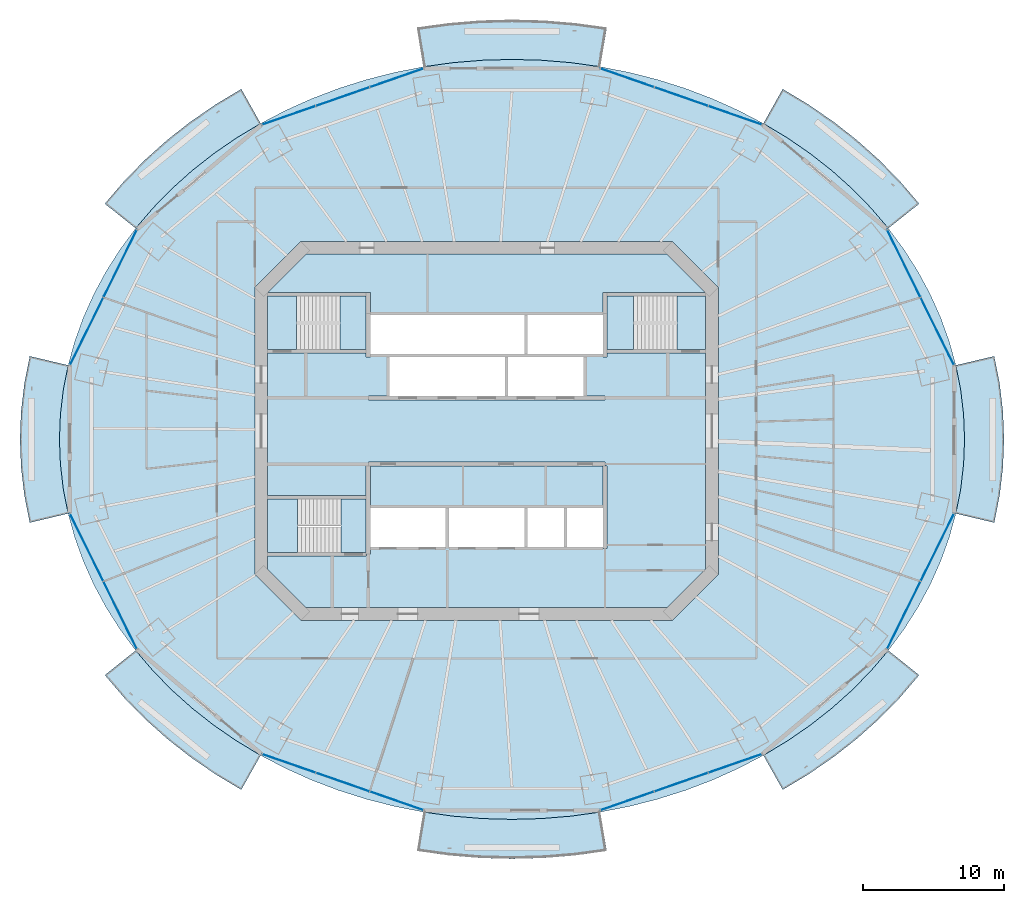
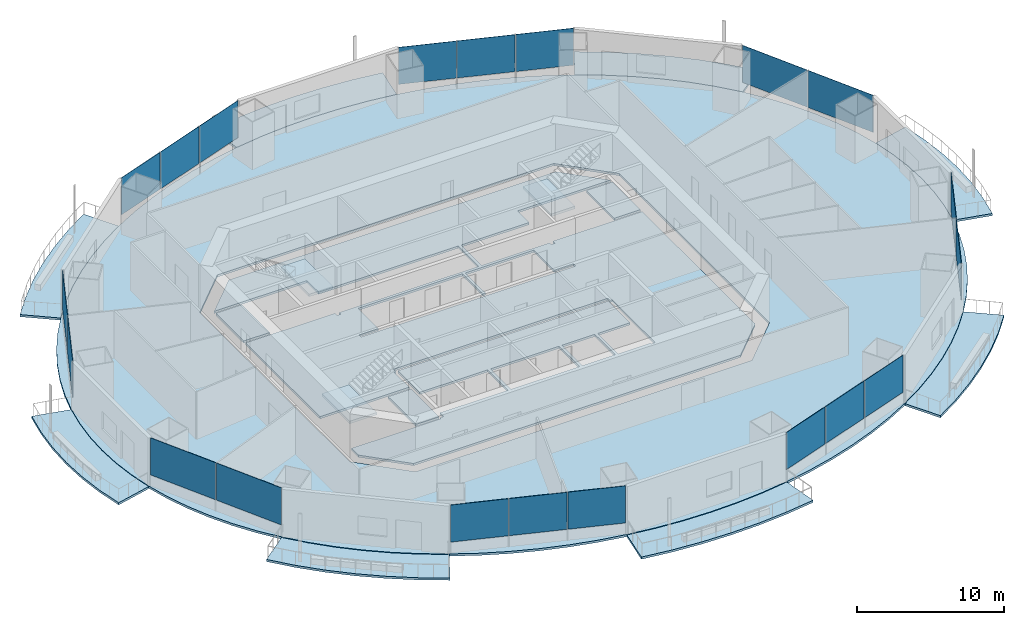
# One storey, part 10 of 20: 20 plates, 16 slabs, 11 elements without a shape of their own.
"""IFC4 building model written with IfcOpenShell, lengths in metres."""

import ifcopenshell
import ifcopenshell.guid

model = None  # the IFC model being written
_history = None  # IfcOwnerHistory: only IFC2X3 demands one
_inside = {}  # id of a spatial element -> (the spatial element, [elements in it])
_under = {}  # id of a project, library or spatial element -> (it, [spatial elements below it])
_declared = {}  # id of a project -> (the project, [libraries it declares])
_typed = {}  # id of a type object -> (the type object, [elements of that type])
_made_of = {}  # id of a material, layer set ... -> (it, [elements and type objects made of it])


def new_model(schema):
    """Start an empty IFC model of exactly this schema.

    Asked for "IFC4X3", IfcOpenShell would pick the latest addendum, in which some entities
    have other attributes; the version numbers below select the first issue.
    IFC2X3 requires an IfcOwnerHistory on every rooted entity: one is made here for all.
    """
    global model, _history
    if schema == "IFC4X3":
        model = ifcopenshell.file(schema_version=(4, 3, 0, 0))
    else:
        model = ifcopenshell.file(schema=schema)
    _inside.clear()
    _under.clear()
    _declared.clear()
    _typed.clear()
    _made_of.clear()
    _history = None
    if model.schema == "IFC2X3":
        org = make("IfcOrganization", Name="unknown")
        user = make(
            "IfcPersonAndOrganization",
            ThePerson=make("IfcPerson", FamilyName="unknown"),
            TheOrganization=org,
        )
        app = make(
            "IfcApplication",
            ApplicationDeveloper=org,
            Version="unknown",
            ApplicationFullName="unknown",
            ApplicationIdentifier="unknown",
        )
        _history = make(
            "IfcOwnerHistory",
            OwningUser=user,
            OwningApplication=app,
            ChangeAction="ADDED",
            CreationDate=0,
        )
    return model


def make(cls, **values):
    """One entity of the class cls with the attributes given. An attribute that is None is left unset."""
    return model.create_entity(
        cls, **{name: value for name, value in values.items() if value is not None}
    )


def rooted(cls, **values):
    """An entity with a GlobalId (a new one), such as an element, a storey or a relation."""
    return make(cls, GlobalId=ifcopenshell.guid.new(), OwnerHistory=_history, **values)


def si_unit(unit_type, name, prefix=None):
    """IfcSIUnit, for example si_unit("LENGTHUNIT", "METRE", prefix="MILLI")."""
    return make("IfcSIUnit", UnitType=unit_type, Prefix=prefix, Name=name)


def assignment(units):
    """IfcUnitAssignment: the units of a project."""
    return None if units is None else make("IfcUnitAssignment", Units=units)


def point(xyz):
    """IfcCartesianPoint."""
    return None if xyz is None else make("IfcCartesianPoint", Coordinates=xyz)


def direction(xyz):
    """IfcDirection."""
    return None if xyz is None else make("IfcDirection", DirectionRatios=xyz)


def frame(location, z_axis=None, x_axis=None):
    """IfcAxis2Placement3D, a coordinate frame: its origin and axes. An axis left out is left unset."""
    return make(
        "IfcAxis2Placement3D",
        Location=point(location),
        Axis=direction(z_axis),
        RefDirection=direction(x_axis),
    )


def frame_2d(location, x_axis=None):
    """IfcAxis2Placement2D, a coordinate frame in the plane: its origin and x axis."""
    return make(
        "IfcAxis2Placement2D", Location=point(location), RefDirection=direction(x_axis)
    )


def origin():
    """The frame at (0, 0, 0) with its axes left unset."""
    return frame((0.0, 0.0, 0.0))


def origin_2d():
    """The frame at (0, 0) in the plane with its x axis left unset."""
    return frame_2d((0.0, 0.0))


def place(relative_to, where):
    """IfcLocalPlacement: puts the frame where relative to a parent placement (None: the world)."""
    return make(
        "IfcLocalPlacement", PlacementRelTo=relative_to, RelativePlacement=where
    )


def context(
    kind, dimensions, precision=None, world=None, true_north=None, identifier=None
):
    """IfcGeometricRepresentationContext, for example the 3D "Model" context."""
    return make(
        "IfcGeometricRepresentationContext",
        ContextIdentifier=identifier,
        ContextType=kind,
        CoordinateSpaceDimension=dimensions,
        Precision=precision,
        WorldCoordinateSystem=world,
        TrueNorth=true_north,
    )


def subcontext(parent, identifier, kind, view, scale=None):
    """IfcGeometricRepresentationSubContext, for example "Body" below "Model"."""
    return make(
        "IfcGeometricRepresentationSubContext",
        ContextIdentifier=identifier,
        ContextType=kind,
        ParentContext=parent,
        TargetScale=scale,
        TargetView=view,
    )


def project(units=None, contexts=None):
    """IfcProject with its units and contexts."""
    return rooted(
        "IfcProject",
        Name="project",
        RepresentationContexts=contexts,
        UnitsInContext=assignment(units),
    )


def spatial(cls, under=None, at=None, **own):
    """A site, building, storey or space (cls), placed at a placement, below another one or the project."""
    s = rooted(cls, ObjectPlacement=at, **own)
    if under is not None:
        _under.setdefault(under.id(), (under, []))[1].append(s)
    return s


def polyline(points):
    """IfcPolyline through the points."""
    return make("IfcPolyline", Points=[point(p) for p in points])


def profile(cls, at=None, kind="AREA", **sizes):
    """A parametric profile (cls). Its sizes go by their IFC names, for example OverallWidth=200.0."""
    return make(cls, ProfileType=kind, Position=at, **sizes)


def rectangle(**sizes):
    """IfcRectangleProfileDef."""
    return profile("IfcRectangleProfileDef", **sizes)


def outline(outer, holes=None, kind="AREA"):
    """IfcArbitraryClosedProfileDef: a profile drawn as a closed curve; with holes, ...WithVoids."""
    if holes is None:
        return make("IfcArbitraryClosedProfileDef", ProfileType=kind, OuterCurve=outer)
    return make(
        "IfcArbitraryProfileDefWithVoids",
        ProfileType=kind,
        OuterCurve=outer,
        InnerCurves=holes,
    )


def extrude(swept, where, along, depth):
    """IfcExtrudedAreaSolid: the profile swept, set in the frame where, extruded along a direction by depth."""
    return make(
        "IfcExtrudedAreaSolid",
        SweptArea=swept,
        Position=where,
        ExtrudedDirection=direction(along),
        Depth=depth,
    )


def shape(context_of_items, identifier, shape_type, items):
    """IfcShapeRepresentation: the items that make up one representation, for example the "Body"."""
    return make(
        "IfcShapeRepresentation",
        ContextOfItems=context_of_items,
        RepresentationIdentifier=identifier,
        RepresentationType=shape_type,
        Items=items,
    )


def material(Name=None, Category=None):
    """IfcMaterial."""
    return make("IfcMaterial", Name=Name, Category=Category)


def layer(
    of_material, thickness, ventilated=None, Name=None, Category=None, Priority=None
):
    """IfcMaterialLayer: one layer of a wall or slab, of a material (None: an air gap)."""
    return make(
        "IfcMaterialLayer",
        Material=of_material,
        LayerThickness=thickness,
        IsVentilated=ventilated,
        Name=Name,
        Category=Category,
        Priority=Priority,
    )


def layer_set(layers, Name=None):
    """IfcMaterialLayerSet."""
    return make("IfcMaterialLayerSet", MaterialLayers=layers, LayerSetName=Name)


def made_of(thing, what):
    """Note that an element or type object is made of a material, layer set ...; save() writes the relation."""
    if what is not None:
        _made_of.setdefault(what.id(), (what, []))[1].append(thing)
    return thing


def type_object(cls, material=None, **own):
    """A type object (cls), such as IfcWallType, which elements share."""
    return made_of(rooted(cls, **own), material)


def element(
    cls,
    number,
    at=None,
    inside=None,
    cuts=None,
    type_object=None,
    material=None,
    context=None,
    identifier="Body",
    shape_type=None,
    held_by="IfcProductDefinitionShape",
    body=None,
    shapes=None,
    **own,
):
    """One element of the class cls, such as IfcWall. Its Tag is "e" and its number.

    at: its placement. inside: the storey or other place that contains it. cuts: it is an
    opening in that element (IfcRelVoidsElement). A single representation is given by context,
    identifier, shape_type and body (its items); several are given by shapes. held_by: the class
    of the entity that holds the representations. save() writes the other relations.
    """
    e = rooted(cls, Tag="e%d" % number, ObjectPlacement=at, **own)
    if body is not None:
        shapes = [shape(context, identifier, shape_type, body)]
    if shapes is not None:
        e.Representation = make(held_by, Representations=shapes)
    if inside is not None:
        _inside.setdefault(inside.id(), (inside, []))[1].append(e)
    if cuts is not None:
        rooted(
            "IfcRelVoidsElement", RelatingBuildingElement=cuts, RelatedOpeningElement=e
        )
    if type_object is not None:
        _typed.setdefault(type_object.id(), (type_object, []))[1].append(e)
    return made_of(e, material)


def aggregate(whole, parts):
    """IfcRelAggregates: a whole, such as a stair, and the parts it consists of."""
    return rooted("IfcRelAggregates", RelatingObject=whole, RelatedObjects=parts)


def save(model, path):
    """Write the relations noted so far, then the file.

    IfcRelAggregates (storeys below a building ...), IfcRelContainedInSpatialStructure (elements
    in a storey), IfcRelDefinesByType, IfcRelAssociatesMaterial and IfcRelDeclares: one each for
    every whole, place, type object, material and project.
    """
    for whole, parts in _under.values():
        aggregate(whole, parts)
    for where, things in _inside.values():
        rooted(
            "IfcRelContainedInSpatialStructure",
            RelatedElements=things,
            RelatingStructure=where,
        )
    for kind, things in _typed.values():
        rooted("IfcRelDefinesByType", RelatedObjects=things, RelatingType=kind)
    for what, things in _made_of.values():
        rooted("IfcRelAssociatesMaterial", RelatedObjects=things, RelatingMaterial=what)
    for by, libraries in _declared.values():
        rooted("IfcRelDeclares", RelatingContext=by, RelatedDefinitions=libraries)
    model.write(path)


model = new_model("IFC4")

# Units and contexts
model_context = context("Model", 3, precision=1e-05, world=origin(), true_north=direction((0.0, 1.0)))
body_context = subcontext(model_context, "Body", "Model", "MODEL_VIEW")
ifc_project = project(units=[si_unit("LENGTHUNIT", "METRE"), si_unit("AREAUNIT", "SQUARE_METRE"), si_unit("VOLUMEUNIT", "CUBIC_METRE"), si_unit("PLANEANGLEUNIT", "RADIAN"), si_unit("MASSUNIT", "GRAM", prefix="KILO")], contexts=[model_context])

# Site, building, storey
site_placement = place(None, origin())
site = spatial("IfcSite", under=ifc_project, at=site_placement, CompositionType="ELEMENT")
building_placement = place(site_placement, origin())
building = spatial("IfcBuilding", under=site, at=building_placement, Name="Marenthal Gate Tower", CompositionType="ELEMENT")
storey_placement = place(building_placement, frame((0.0, 0.0, 185.949951171875)))
storey = spatial("IfcBuildingStorey", under=building, at=storey_placement, Name="L40", CompositionType="ELEMENT", Elevation=185.949951171875)

# Slabs
ifc_material_1 = material(Name="Concrete 40 MPa", Category="concrete")
ifc_layer_1 = layer(ifc_material_1, 0.179931640625)
ifc_layer_set_1 = layer_set([ifc_layer_1], Name="Balcony deck 180")
slab_type_1 = type_object("IfcSlabType", Name="Balcony deck 180", PredefinedType="USERDEFINED", material=ifc_layer_set_1)
slab_1_placement = place(storey_placement, frame((0.0, 0.0, -0.219970703125)))
element("IfcSlab", 1, at=slab_1_placement, inside=storey, type_object=slab_type_1, Name="Balcony deck L40 bay 2", ObjectType="BALCONY", PredefinedType="USERDEFINED", context=body_context, shape_type="SweptSolid", body=[
    extrude(outline(polyline([(28.519287109375, 14.389892578125), (27.29443359375, 15.824951171875), (25.96044921875, 17.189697265625), (24.52294921875, 18.478515625), (22.988037109375, 19.685302734375), (21.362548828125, 20.805419921875), (19.6533203125, 21.833984375), (21.023193359375, 24.27587890625), (22.87890625, 23.1591796875), (24.648193359375, 21.940185546875), (26.3232421875, 20.622802734375), (27.896728515625, 19.21240234375), (29.361328125, 17.7138671875), (30.710205078125, 16.13330078125), (28.519287109375, 14.389892578125)])), origin(), (0.0, 0.0, 1.0), 0.179931640625),
])
slab_2_placement = place(storey_placement, frame((0.0, 0.0, -0.219970703125)))
element("IfcSlab", 2, at=slab_2_placement, inside=storey, type_object=slab_type_1, Name="Balcony deck L40 bay 4", ObjectType="BALCONY", PredefinedType="USERDEFINED", context=body_context, shape_type="SweptSolid", body=[
    extrude(outline(polyline([(8.069091796875, 25.862548828125), (5.994384765625, 26.150146484375), (3.901611328125, 26.3232421875), (1.800048828125, 26.381103515625), (-0.3017578125, 26.3232421875), (-2.39453125, 26.150146484375), (-4.46923828125, 25.862548828125), (-4.930419921875, 28.624267578125), (-2.7021484375, 28.933349609375), (-0.45556640625, 29.118896484375), (1.800048828125, 29.180908203125), (4.0556640625, 29.118896484375), (6.30224609375, 28.933349609375), (8.530517578125, 28.624267578125), (8.069091796875, 25.862548828125)])), origin(), (0.0, 0.0, 1.0), 0.179931640625),
])
slab_3_placement = place(storey_placement, frame((0.0, 0.0, -0.219970703125)))
element("IfcSlab", 3, at=slab_3_placement, inside=storey, type_object=slab_type_1, Name="Balcony deck L40 bay 6", ObjectType="BALCONY", PredefinedType="USERDEFINED", context=body_context, shape_type="SweptSolid", body=[
    extrude(outline(polyline([(-16.05322265625, 21.833984375), (-17.762451171875, 20.805419921875), (-19.38818359375, 19.685302734375), (-20.9228515625, 18.478515625), (-22.3603515625, 17.189697265625), (-23.6943359375, 15.824951171875), (-24.919189453125, 14.389892578125), (-27.110107421875, 16.13330078125), (-25.76123046875, 17.7138671875), (-24.296630859375, 19.21240234375), (-22.723388671875, 20.622802734375), (-21.04833984375, 21.940185546875), (-19.279052734375, 23.1591796875), (-17.423095703125, 24.27587890625), (-16.05322265625, 21.833984375)])), origin(), (0.0, 0.0, 1.0), 0.179931640625),
])
slab_4_placement = place(storey_placement, frame((0.0, 0.0, -0.219970703125)))
element("IfcSlab", 4, at=slab_4_placement, inside=storey, type_object=slab_type_1, Name="Balcony deck L40 bay 8", ObjectType="BALCONY", PredefinedType="USERDEFINED", context=body_context, shape_type="SweptSolid", body=[
    extrude(outline(polyline([(-29.717529296875, 4.663818359375), (-30.06005859375, 2.921630859375), (-30.26611328125, 1.16455078125), (-30.3349609375, -0.60009765625), (-30.26611328125, -2.364501953125), (-30.06005859375, -4.12158203125), (-29.717529296875, -5.86376953125), (-32.442138671875, -6.50927734375), (-32.826416015625, -4.555419921875), (-33.0576171875, -2.58251953125), (-33.135009765625, -0.60009765625), (-33.0576171875, 1.382568359375), (-32.826416015625, 3.35546875), (-32.442138671875, 5.30908203125), (-29.717529296875, 4.663818359375)])), origin(), (0.0, 0.0, 1.0), 0.179931640625),
])
slab_5_placement = place(storey_placement, frame((0.0, 0.0, -0.219970703125)))
element("IfcSlab", 5, at=slab_5_placement, inside=storey, type_object=slab_type_1, Name="Balcony deck L40 bay 10", ObjectType="BALCONY", PredefinedType="USERDEFINED", context=body_context, shape_type="SweptSolid", body=[
    extrude(outline(polyline([(-24.919189453125, -15.58984375), (-23.6943359375, -17.02490234375), (-22.3603515625, -18.389892578125), (-20.9228515625, -19.678466796875), (-19.38818359375, -20.885498046875), (-17.762451171875, -22.005615234375), (-16.05322265625, -23.033935546875), (-17.423095703125, -25.475830078125), (-19.279052734375, -24.359375), (-21.04833984375, -23.14013671875), (-22.723388671875, -21.82275390625), (-24.296630859375, -20.412353515625), (-25.76123046875, -18.913818359375), (-27.110107421875, -17.333251953125), (-24.919189453125, -15.58984375)])), origin(), (0.0, 0.0, 1.0), 0.179931640625),
])
slab_6_placement = place(storey_placement, frame((0.0, 0.0, -0.219970703125)))
element("IfcSlab", 6, at=slab_6_placement, inside=storey, type_object=slab_type_1, Name="Balcony deck L40 bay 12", ObjectType="BALCONY", PredefinedType="USERDEFINED", context=body_context, shape_type="SweptSolid", body=[
    extrude(outline(polyline([(-4.46923828125, -27.0625), (-2.39453125, -27.35009765625), (-0.3017578125, -27.523193359375), (1.800048828125, -27.5810546875), (3.901611328125, -27.523193359375), (5.994384765625, -27.35009765625), (8.069091796875, -27.0625), (8.530517578125, -29.824462890625), (6.30224609375, -30.13330078125), (4.0556640625, -30.319091796875), (1.800048828125, -30.381103515625), (-0.45556640625, -30.319091796875), (-2.7021484375, -30.13330078125), (-4.930419921875, -29.824462890625), (-4.46923828125, -27.0625)])), origin(), (0.0, 0.0, 1.0), 0.179931640625),
])
slab_7_placement = place(storey_placement, frame((0.0, 0.0, -0.219970703125)))
element("IfcSlab", 7, at=slab_7_placement, inside=storey, type_object=slab_type_1, Name="Balcony deck L40 bay 14", ObjectType="BALCONY", PredefinedType="USERDEFINED", context=body_context, shape_type="SweptSolid", body=[
    extrude(outline(polyline([(19.6533203125, -23.033935546875), (21.362548828125, -22.005615234375), (22.988037109375, -20.885498046875), (24.52294921875, -19.678466796875), (25.96044921875, -18.389892578125), (27.29443359375, -17.02490234375), (28.519287109375, -15.58984375), (30.710205078125, -17.333251953125), (29.361328125, -18.913818359375), (27.896728515625, -20.412353515625), (26.3232421875, -21.82275390625), (24.648193359375, -23.14013671875), (22.87890625, -24.359375), (21.023193359375, -25.475830078125), (19.6533203125, -23.033935546875)])), origin(), (0.0, 0.0, 1.0), 0.179931640625),
])
slab_8_placement = place(storey_placement, frame((0.0, 0.0, -0.219970703125)))
element("IfcSlab", 8, at=slab_8_placement, inside=storey, type_object=slab_type_1, Name="Balcony deck L40 bay 16", ObjectType="BALCONY", PredefinedType="USERDEFINED", context=body_context, shape_type="SweptSolid", body=[
    extrude(outline(polyline([(33.3173828125, -5.86376953125), (33.66015625, -4.12158203125), (33.8662109375, -2.364501953125), (33.93505859375, -0.60009765625), (33.8662109375, 1.16455078125), (33.66015625, 2.921630859375), (33.3173828125, 4.663818359375), (36.0419921875, 5.30908203125), (36.42626953125, 3.35546875), (36.65771484375, 1.382568359375), (36.735107421875, -0.60009765625), (36.65771484375, -2.58251953125), (36.42626953125, -4.555419921875), (36.0419921875, -6.50927734375), (33.3173828125, -5.86376953125)])), origin(), (0.0, 0.0, 1.0), 0.179931640625),
])
ifc_material_2 = material(Name="Concrete 50 MPa", Category="concrete")
ifc_layer_2 = layer(ifc_material_2, 0.179931640625)
ifc_layer_set_2 = layer_set([ifc_layer_2], Name="Core floor slab 180")
slab_type_2 = type_object("IfcSlabType", Name="Core floor slab 180", PredefinedType="FLOOR", material=ifc_layer_set_2)
slab_9_placement = place(storey_placement, frame((0.0, 0.0, -0.179931640625)))
element("IfcSlab", 9, at=slab_9_placement, inside=storey, type_object=slab_type_2, Name="Core floor L40", PredefinedType="FLOOR", context=body_context, shape_type="SweptSolid", body=[
    extrude(outline(polyline([(12.813720703125, -12.550048828125), (-12.813720703125, -12.550048828125), (-15.550048828125, -9.813720703125), (-15.550048828125, -8.875), (-8.550048828125, -8.875), (-8.550048828125, -8.75), (-8.25, -8.75), (-8.25, -8.239990234375), (-5.60009765625, -8.239990234375), (-2.909912109375, -8.239990234375), (-2.909912109375, -5.4599609375), (-5.60009765625, -5.4599609375), (-8.25, -5.4599609375), (-8.25, -2.5), (8.25, -2.5), (8.25, -5.4599609375), (5.7099609375, -5.4599609375), (5.7099609375, -8.239990234375), (8.25, -8.239990234375), (8.25, -8.35009765625), (8.550048828125, -8.35009765625), (8.550048828125, -2.5), (8.39990234375, -2.5), (8.39990234375, -2.199951171875), (-8.39990234375, -2.199951171875), (-8.39990234375, -2.5), (-8.550048828125, -2.5), (-8.550048828125, -4.574951171875), (-15.550048828125, -4.574951171875), (-15.550048828125, 5.52490234375), (-8.550048828125, 5.52490234375), (-8.550048828125, 5.239990234375), (-8.25, 5.239990234375), (-8.25, 5.4599609375), (-5.60009765625, 5.4599609375), (-2.800048828125, 5.4599609375), (0.0, 5.4599609375), (2.68994140625, 5.4599609375), (2.68994140625, 8.239990234375), (0.0, 8.239990234375), (-2.800048828125, 8.239990234375), (-5.60009765625, 8.239990234375), (-8.25, 8.239990234375), (-8.25, 8.35009765625), (-8.25, 9.824951171875), (-8.550048828125, 9.824951171875), (-15.53857421875, 9.824951171875), (-12.813720703125, 12.550048828125), (12.813720703125, 12.550048828125), (15.53857421875, 9.824951171875), (8.550048828125, 9.824951171875), (8.25, 9.824951171875), (8.25, 8.35009765625), (8.25, 8.239990234375), (5.60009765625, 8.239990234375), (2.909912109375, 8.239990234375), (2.909912109375, 5.4599609375), (5.60009765625, 5.4599609375), (8.25, 5.4599609375), (8.25, 5.239990234375), (8.550048828125, 5.239990234375), (8.550048828125, 5.52490234375), (15.550048828125, 5.52490234375), (15.550048828125, -9.813720703125), (12.813720703125, -12.550048828125)]), holes=[polyline([(2.68994140625, -8.239990234375), (2.68994140625, -5.4599609375), (0.0, -5.4599609375), (-2.68994140625, -5.4599609375), (-2.68994140625, -8.239990234375), (0.0, -8.239990234375), (2.68994140625, -8.239990234375)]), polyline([(-6.889892578125, 5.239990234375), (-6.889892578125, 2.5), (-8.39990234375, 2.5), (-8.39990234375, 2.199951171875), (8.39990234375, 2.199951171875), (8.39990234375, 2.5), (6.889892578125, 2.5), (6.889892578125, 5.239990234375), (4.199951171875, 5.239990234375), (1.510009765625, 5.239990234375), (1.510009765625, 2.5), (1.2900390625, 2.5), (1.2900390625, 5.239990234375), (-1.39990234375, 5.239990234375), (-4.199951171875, 5.239990234375), (-6.889892578125, 5.239990234375)]), polyline([(5.489990234375, -5.4599609375), (2.909912109375, -5.4599609375), (2.909912109375, -8.239990234375), (5.489990234375, -8.239990234375), (5.489990234375, -5.4599609375)])]), origin(), (0.0, 0.0, 1.0), 0.179931640625),
])
slab_10_placement = place(storey_placement, frame((0.0, 0.0, -0.179931640625)))
element("IfcSlab", 10, at=slab_10_placement, inside=storey, type_object=slab_type_2, Name="Core floor L40", PredefinedType="FLOOR", context=body_context, shape_type="SweptSolid", body=[
    extrude(outline(polyline([(15.550048828125, 5.77490234375), (13.5, 5.77490234375), (13.5, 9.574951171875), (15.550048828125, 9.574951171875), (15.550048828125, 5.77490234375)])), origin(), (0.0, 0.0, 1.0), 0.179931640625),
])
slab_11_placement = place(storey_placement, frame((0.0, 0.0, -0.179931640625)))
element("IfcSlab", 11, at=slab_11_placement, inside=storey, type_object=slab_type_2, Name="Core floor L40", PredefinedType="FLOOR", context=body_context, shape_type="SweptSolid", body=[
    extrude(outline(polyline([(-15.550048828125, 9.574951171875), (-13.5, 9.574951171875), (-13.5, 5.77490234375), (-15.550048828125, 5.77490234375), (-15.550048828125, 9.574951171875)])), origin(), (0.0, 0.0, 1.0), 0.179931640625),
])
slab_12_placement = place(storey_placement, frame((0.0, 0.0, -0.179931640625)))
element("IfcSlab", 12, at=slab_12_placement, inside=storey, type_object=slab_type_2, Name="Core floor L40", PredefinedType="FLOOR", context=body_context, shape_type="SweptSolid", body=[
    extrude(outline(polyline([(-8.550048828125, -8.625), (-10.35009765625, -8.625), (-10.35009765625, -4.824951171875), (-8.550048828125, -4.824951171875), (-8.550048828125, -8.625)])), origin(), (0.0, 0.0, 1.0), 0.179931640625),
])
ifc_material_3 = material(Name="Concrete 35 MPa", Category="concrete")
ifc_layer_3 = layer(ifc_material_3, 0.179931640625)
ifc_layer_set_3 = layer_set([ifc_layer_3], Name="Floor slab 180")
slab_type_3 = type_object("IfcSlabType", Name="Floor slab 180", PredefinedType="FLOOR", material=ifc_layer_set_3)
slab_13_placement = place(storey_placement, frame((0.0, 0.0, -0.179931640625)))
element("IfcSlab", 13, at=slab_13_placement, inside=storey, type_object=slab_type_3, Name="SL-L40-01", PredefinedType="FLOOR", context=body_context, shape_type="SweptSolid", body=[
    extrude(outline(polyline([(33.93505859375, -0.60009765625), (33.8662109375, 1.16455078125), (33.66015625, 2.921630859375), (33.3173828125, 4.663818359375), (32.840087890625, 6.38330078125), (32.2294921875, 8.07275390625), (31.489013671875, 9.72509765625), (30.62109375, 11.33349609375), (29.629638671875, 12.890380859375), (28.519287109375, 14.389892578125), (27.29443359375, 15.824951171875), (25.96044921875, 17.189697265625), (24.52294921875, 18.478515625), (22.988037109375, 19.685302734375), (21.362548828125, 20.805419921875), (19.6533203125, 21.833984375), (17.867431640625, 22.76611328125), (16.012939453125, 23.598388671875), (14.097412109375, 24.3271484375), (12.12939453125, 24.94921875), (10.1171875, 25.461669921875), (8.069091796875, 25.862548828125), (5.994384765625, 26.150146484375), (3.901611328125, 26.3232421875), (1.800048828125, 26.381103515625), (-0.3017578125, 26.3232421875), (-2.39453125, 26.150146484375), (-4.46923828125, 25.862548828125), (-6.51708984375, 25.461669921875), (-8.529541015625, 24.94921875), (-10.49755859375, 24.3271484375), (-12.412841796875, 23.598388671875), (-14.267578125, 22.76611328125), (-16.05322265625, 21.833984375), (-17.762451171875, 20.805419921875), (-19.38818359375, 19.685302734375), (-20.9228515625, 18.478515625), (-22.3603515625, 17.189697265625), (-23.6943359375, 15.824951171875), (-24.919189453125, 14.389892578125), (-26.02978515625, 12.890380859375), (-27.02099609375, 11.33349609375), (-27.888916015625, 9.72509765625), (-28.629638671875, 8.07275390625), (-29.239990234375, 6.38330078125), (-29.717529296875, 4.663818359375), (-30.06005859375, 2.921630859375), (-30.26611328125, 1.16455078125), (-30.3349609375, -0.60009765625), (-30.26611328125, -2.364501953125), (-30.06005859375, -4.12158203125), (-29.717529296875, -5.86376953125), (-29.239990234375, -7.583251953125), (-28.629638671875, -9.272705078125), (-27.888916015625, -10.92529296875), (-27.02099609375, -12.533447265625), (-26.02978515625, -14.090576171875), (-24.919189453125, -15.58984375), (-23.6943359375, -17.02490234375), (-22.3603515625, -18.389892578125), (-20.9228515625, -19.678466796875), (-19.38818359375, -20.885498046875), (-17.762451171875, -22.005615234375), (-16.05322265625, -23.033935546875), (-14.267578125, -23.96630859375), (-12.412841796875, -24.798583984375), (-10.49755859375, -25.527099609375), (-8.529541015625, -26.149169921875), (-6.51708984375, -26.66162109375), (-4.46923828125, -27.0625), (-2.39453125, -27.35009765625), (-0.3017578125, -27.523193359375), (1.800048828125, -27.5810546875), (3.901611328125, -27.523193359375), (5.994384765625, -27.35009765625), (8.069091796875, -27.0625), (10.1171875, -26.66162109375), (12.12939453125, -26.149169921875), (14.097412109375, -25.527099609375), (16.012939453125, -24.798583984375), (17.867431640625, -23.96630859375), (19.6533203125, -23.033935546875), (21.362548828125, -22.005615234375), (22.988037109375, -20.885498046875), (24.52294921875, -19.678466796875), (25.96044921875, -18.389892578125), (27.29443359375, -17.02490234375), (28.519287109375, -15.58984375), (29.629638671875, -14.090576171875), (30.62109375, -12.533447265625), (31.489013671875, -10.92529296875), (32.2294921875, -9.272705078125), (32.840087890625, -7.583251953125), (33.3173828125, -5.86376953125), (33.66015625, -4.12158203125), (33.8662109375, -2.364501953125), (33.93505859375, -0.60009765625)]), holes=[polyline([(13.186279296875, -13.449951171875), (16.449951171875, -10.186279296875), (16.449951171875, 10.186279296875), (13.186279296875, 13.449951171875), (-13.186279296875, 13.449951171875), (-16.449951171875, 10.186279296875), (-16.449951171875, -10.186279296875), (-13.186279296875, -13.449951171875), (13.186279296875, -13.449951171875)])]), origin(), (0.0, 0.0, 1.0), 0.179931640625),
])

# Curtain wall, plates
ifc_material_4 = material(Name="Aluminium and glass", Category="aluminium")
curtain_wall_type = type_object("IfcCurtainWallType", Name="Curtain wall typical mid", PredefinedType="NOTDEFINED", material=ifc_material_4)
curtain_wall_1_placement = place(storey_placement, origin())
curtain_wall_1 = element("IfcCurtainWall", 14, at=curtain_wall_1_placement, inside=storey, type_object=curtain_wall_type, Name="Curtain wall L40 bay 1", PredefinedType="NOTDEFINED")
ifc_material_5 = material(Name="Glass, laminated insulating unit", Category="glass")
ifc_layer_4 = layer(ifc_material_5, 0.030029296875)
ifc_layer_set_4 = layer_set([ifc_layer_4], Name="Glass panel 30 typical mid")
plate_type = type_object("IfcPlateType", Name="Glass panel 30 typical mid", PredefinedType="CURTAIN_PANEL", material=ifc_layer_set_4)
plate_1_placement = place(storey_placement, frame((31.998046875, 7.074462890625, 0.89990234375), z_axis=(0.0, 0.0, 1.0), x_axis=(-0.442677643406, 0.896680826174, 0.0)))
plate_1 = element("IfcPlate", 15, at=plate_1_placement, type_object=plate_type, Name="Glass panel L40 bay 1.1", PredefinedType="CURTAIN_PANEL", context=body_context, shape_type="SweptSolid", body=[
    extrude(rectangle(XDim=5.309326171875, YDim=0.030029296875, at=origin_2d()), origin(), (0.0, 0.0, 1.0), 3.070068359375),
])
plate_2_placement = place(storey_placement, frame((29.621337890625, 11.888916015625, 0.89990234375), z_axis=(0.0, 0.0, 1.0), x_axis=(-0.442677643406, 0.896680826174, 0.0)))
plate_2 = element("IfcPlate", 16, at=plate_2_placement, type_object=plate_type, Name="Glass panel L40 bay 1.2", PredefinedType="CURTAIN_PANEL", context=body_context, shape_type="SweptSolid", body=[
    extrude(rectangle(XDim=5.309326171875, YDim=0.030029296875, at=origin_2d()), origin(), (0.0, 0.0, 1.0), 3.070068359375),
])
aggregate(curtain_wall_1, [plate_1, plate_2])

curtain_wall_2_placement = place(storey_placement, origin())
curtain_wall_2 = element("IfcCurtainWall", 17, at=curtain_wall_2_placement, inside=storey, type_object=curtain_wall_type, Name="Curtain wall L40 bay 3", PredefinedType="NOTDEFINED")
plate_3_placement = place(storey_placement, frame((17.644287109375, 22.4091796875, 0.89990234375), z_axis=(0.0, 0.0, 1.0), x_axis=(-0.944582890203, 0.328273001535, 0.0)))
plate_3 = element("IfcPlate", 18, at=plate_3_placement, type_object=plate_type, Name="Glass panel L40 bay 3.1", PredefinedType="CURTAIN_PANEL", context=body_context, shape_type="SweptSolid", body=[
    extrude(rectangle(XDim=3.99267578125, YDim=0.030029296875, at=origin_2d()), origin(), (0.0, 0.0, 1.0), 3.070068359375),
])
plate_4_placement = place(storey_placement, frame((13.816162109375, 23.739501953125, 0.89990234375), z_axis=(0.0, 0.0, 1.0), x_axis=(-0.944582890203, 0.328273001535, 0.0)))
plate_4 = element("IfcPlate", 19, at=plate_4_placement, type_object=plate_type, Name="Glass panel L40 bay 3.2", PredefinedType="CURTAIN_PANEL", context=body_context, shape_type="SweptSolid", body=[
    extrude(rectangle(XDim=3.99267578125, YDim=0.030029296875, at=origin_2d()), origin(), (0.0, 0.0, 1.0), 3.070068359375),
])
plate_5_placement = place(storey_placement, frame((9.988037109375, 25.06982421875, 0.89990234375), z_axis=(0.0, 0.0, 1.0), x_axis=(-0.944582890203, 0.328273001535, 0.0)))
plate_5 = element("IfcPlate", 20, at=plate_5_placement, type_object=plate_type, Name="Glass panel L40 bay 3.3", PredefinedType="CURTAIN_PANEL", context=body_context, shape_type="SweptSolid", body=[
    extrude(rectangle(XDim=3.99267578125, YDim=0.030029296875, at=origin_2d()), origin(), (0.0, 0.0, 1.0), 3.070068359375),
])
aggregate(curtain_wall_2, [plate_3, plate_4, plate_5])

curtain_wall_3_placement = place(storey_placement, origin())
curtain_wall_3 = element("IfcCurtainWall", 21, at=curtain_wall_3_placement, inside=storey, type_object=curtain_wall_type, Name="Curtain wall L40 bay 5", PredefinedType="NOTDEFINED")
plate_6_placement = place(storey_placement, frame((-6.38818359375, 25.06982421875, 0.89990234375), z_axis=(0.0, 0.0, 1.0), x_axis=(-0.944582890203, -0.328273001535, 0.0)))
plate_6 = element("IfcPlate", 22, at=plate_6_placement, type_object=plate_type, Name="Glass panel L40 bay 5.1", PredefinedType="CURTAIN_PANEL", context=body_context, shape_type="SweptSolid", body=[
    extrude(rectangle(XDim=3.99267578125, YDim=0.030029296875, at=origin_2d()), origin(), (0.0, 0.0, 1.0), 3.070068359375),
])
plate_7_placement = place(storey_placement, frame((-10.21630859375, 23.739501953125, 0.89990234375), z_axis=(0.0, 0.0, 1.0), x_axis=(-0.944582890203, -0.328273001535, 0.0)))
plate_7 = element("IfcPlate", 23, at=plate_7_placement, type_object=plate_type, Name="Glass panel L40 bay 5.2", PredefinedType="CURTAIN_PANEL", context=body_context, shape_type="SweptSolid", body=[
    extrude(rectangle(XDim=3.99267578125, YDim=0.030029296875, at=origin_2d()), origin(), (0.0, 0.0, 1.0), 3.070068359375),
])
plate_8_placement = place(storey_placement, frame((-14.044189453125, 22.4091796875, 0.89990234375), z_axis=(0.0, 0.0, 1.0), x_axis=(-0.944582890203, -0.328273001535, 0.0)))
plate_8 = element("IfcPlate", 24, at=plate_8_placement, type_object=plate_type, Name="Glass panel L40 bay 5.3", PredefinedType="CURTAIN_PANEL", context=body_context, shape_type="SweptSolid", body=[
    extrude(rectangle(XDim=3.99267578125, YDim=0.030029296875, at=origin_2d()), origin(), (0.0, 0.0, 1.0), 3.070068359375),
])
aggregate(curtain_wall_3, [plate_6, plate_7, plate_8])

curtain_wall_4_placement = place(storey_placement, origin())
curtain_wall_4 = element("IfcCurtainWall", 25, at=curtain_wall_4_placement, inside=storey, type_object=curtain_wall_type, Name="Curtain wall L40 bay 7", PredefinedType="NOTDEFINED")
plate_9_placement = place(storey_placement, frame((-26.021240234375, 11.888916015625, 0.89990234375), z_axis=(0.0, 0.0, 1.0), x_axis=(-0.442677643406, -0.896680826174, 0.0)))
plate_9 = element("IfcPlate", 26, at=plate_9_placement, type_object=plate_type, Name="Glass panel L40 bay 7.1", PredefinedType="CURTAIN_PANEL", context=body_context, shape_type="SweptSolid", body=[
    extrude(rectangle(XDim=5.309326171875, YDim=0.030029296875, at=origin_2d()), origin(), (0.0, 0.0, 1.0), 3.070068359375),
])
plate_10_placement = place(storey_placement, frame((-28.398193359375, 7.074462890625, 0.89990234375), z_axis=(0.0, 0.0, 1.0), x_axis=(-0.442677643406, -0.896680826174, 0.0)))
plate_10 = element("IfcPlate", 27, at=plate_10_placement, type_object=plate_type, Name="Glass panel L40 bay 7.2", PredefinedType="CURTAIN_PANEL", context=body_context, shape_type="SweptSolid", body=[
    extrude(rectangle(XDim=5.309326171875, YDim=0.030029296875, at=origin_2d()), origin(), (0.0, 0.0, 1.0), 3.070068359375),
])
aggregate(curtain_wall_4, [plate_9, plate_10])

curtain_wall_5_placement = place(storey_placement, origin())
curtain_wall_5 = element("IfcCurtainWall", 28, at=curtain_wall_5_placement, inside=storey, type_object=curtain_wall_type, Name="Curtain wall L40 bay 9", PredefinedType="NOTDEFINED")
plate_11_placement = place(storey_placement, frame((-28.398193359375, -8.2744140625, 0.89990234375), z_axis=(0.0, 0.0, 1.0), x_axis=(0.442677643406, -0.896680826174, 0.0)))
plate_11 = element("IfcPlate", 29, at=plate_11_placement, type_object=plate_type, Name="Glass panel L40 bay 9.1", PredefinedType="CURTAIN_PANEL", context=body_context, shape_type="SweptSolid", body=[
    extrude(rectangle(XDim=5.309326171875, YDim=0.030029296875, at=origin_2d()), origin(), (0.0, 0.0, 1.0), 3.070068359375),
])
plate_12_placement = place(storey_placement, frame((-26.021240234375, -13.089111328125, 0.89990234375), z_axis=(0.0, 0.0, 1.0), x_axis=(0.442677643406, -0.896680826174, 0.0)))
plate_12 = element("IfcPlate", 30, at=plate_12_placement, type_object=plate_type, Name="Glass panel L40 bay 9.2", PredefinedType="CURTAIN_PANEL", context=body_context, shape_type="SweptSolid", body=[
    extrude(rectangle(XDim=5.309326171875, YDim=0.030029296875, at=origin_2d()), origin(), (0.0, 0.0, 1.0), 3.070068359375),
])
aggregate(curtain_wall_5, [plate_11, plate_12])

curtain_wall_6_placement = place(storey_placement, origin())
curtain_wall_6 = element("IfcCurtainWall", 31, at=curtain_wall_6_placement, inside=storey, type_object=curtain_wall_type, Name="Curtain wall L40 bay 11", PredefinedType="NOTDEFINED")
plate_13_placement = place(storey_placement, frame((-14.044189453125, -23.609130859375, 0.89990234375), z_axis=(0.0, 0.0, 1.0), x_axis=(0.944582890203, -0.328273001535, 0.0)))
plate_13 = element("IfcPlate", 32, at=plate_13_placement, type_object=plate_type, Name="Glass panel L40 bay 11.1", PredefinedType="CURTAIN_PANEL", context=body_context, shape_type="SweptSolid", body=[
    extrude(rectangle(XDim=3.99267578125, YDim=0.030029296875, at=origin_2d()), origin(), (0.0, 0.0, 1.0), 3.070068359375),
])
plate_14_placement = place(storey_placement, frame((-10.21630859375, -24.939453125, 0.89990234375), z_axis=(0.0, 0.0, 1.0), x_axis=(0.944582890203, -0.328273001535, 0.0)))
plate_14 = element("IfcPlate", 33, at=plate_14_placement, type_object=plate_type, Name="Glass panel L40 bay 11.2", PredefinedType="CURTAIN_PANEL", context=body_context, shape_type="SweptSolid", body=[
    extrude(rectangle(XDim=3.99267578125, YDim=0.030029296875, at=origin_2d()), origin(), (0.0, 0.0, 1.0), 3.070068359375),
])
plate_15_placement = place(storey_placement, frame((-6.38818359375, -26.269775390625, 0.89990234375), z_axis=(0.0, 0.0, 1.0), x_axis=(0.944582890203, -0.328273001535, 0.0)))
plate_15 = element("IfcPlate", 34, at=plate_15_placement, type_object=plate_type, Name="Glass panel L40 bay 11.3", PredefinedType="CURTAIN_PANEL", context=body_context, shape_type="SweptSolid", body=[
    extrude(rectangle(XDim=3.99267578125, YDim=0.030029296875, at=origin_2d()), origin(), (0.0, 0.0, 1.0), 3.070068359375),
])
aggregate(curtain_wall_6, [plate_13, plate_14, plate_15])

curtain_wall_7_placement = place(storey_placement, origin())
curtain_wall_7 = element("IfcCurtainWall", 35, at=curtain_wall_7_placement, inside=storey, type_object=curtain_wall_type, Name="Curtain wall L40 bay 13", PredefinedType="NOTDEFINED")
plate_16_placement = place(storey_placement, frame((9.988037109375, -26.269775390625, 0.89990234375), z_axis=(0.0, 0.0, 1.0), x_axis=(0.944582890203, 0.328273001535, 0.0)))
plate_16 = element("IfcPlate", 36, at=plate_16_placement, type_object=plate_type, Name="Glass panel L40 bay 13.1", PredefinedType="CURTAIN_PANEL", context=body_context, shape_type="SweptSolid", body=[
    extrude(rectangle(XDim=3.99267578125, YDim=0.030029296875, at=origin_2d()), origin(), (0.0, 0.0, 1.0), 3.070068359375),
])
plate_17_placement = place(storey_placement, frame((13.816162109375, -24.939453125, 0.89990234375), z_axis=(0.0, 0.0, 1.0), x_axis=(0.944582890203, 0.328273001535, 0.0)))
plate_17 = element("IfcPlate", 37, at=plate_17_placement, type_object=plate_type, Name="Glass panel L40 bay 13.2", PredefinedType="CURTAIN_PANEL", context=body_context, shape_type="SweptSolid", body=[
    extrude(rectangle(XDim=3.99267578125, YDim=0.030029296875, at=origin_2d()), origin(), (0.0, 0.0, 1.0), 3.070068359375),
])
plate_18_placement = place(storey_placement, frame((17.644287109375, -23.609130859375, 0.89990234375), z_axis=(0.0, 0.0, 1.0), x_axis=(0.944582890203, 0.328273001535, 0.0)))
plate_18 = element("IfcPlate", 38, at=plate_18_placement, type_object=plate_type, Name="Glass panel L40 bay 13.3", PredefinedType="CURTAIN_PANEL", context=body_context, shape_type="SweptSolid", body=[
    extrude(rectangle(XDim=3.99267578125, YDim=0.030029296875, at=origin_2d()), origin(), (0.0, 0.0, 1.0), 3.070068359375),
])
aggregate(curtain_wall_7, [plate_16, plate_17, plate_18])

curtain_wall_8_placement = place(storey_placement, origin())
curtain_wall_8 = element("IfcCurtainWall", 39, at=curtain_wall_8_placement, inside=storey, type_object=curtain_wall_type, Name="Curtain wall L40 bay 15", PredefinedType="NOTDEFINED")
plate_19_placement = place(storey_placement, frame((29.62109375, -13.089111328125, 0.89990234375), z_axis=(0.0, 0.0, 1.0), x_axis=(0.442677643406, 0.896680826174, 0.0)))
plate_19 = element("IfcPlate", 40, at=plate_19_placement, type_object=plate_type, Name="Glass panel L40 bay 15.1", PredefinedType="CURTAIN_PANEL", context=body_context, shape_type="SweptSolid", body=[
    extrude(rectangle(XDim=5.309326171875, YDim=0.030029296875, at=origin_2d()), origin(), (0.0, 0.0, 1.0), 3.070068359375),
])
plate_20_placement = place(storey_placement, frame((31.998046875, -8.2744140625, 0.89990234375), z_axis=(0.0, 0.0, 1.0), x_axis=(0.442677643406, 0.896680826174, 0.0)))
plate_20 = element("IfcPlate", 41, at=plate_20_placement, type_object=plate_type, Name="Glass panel L40 bay 15.2", PredefinedType="CURTAIN_PANEL", context=body_context, shape_type="SweptSolid", body=[
    extrude(rectangle(XDim=5.309326171875, YDim=0.030029296875, at=origin_2d()), origin(), (0.0, 0.0, 1.0), 3.070068359375),
])
aggregate(curtain_wall_8, [plate_19, plate_20])

# Stair, slab
ifc_material_6 = material(Name="Concrete 40 MPa", Category="concrete")
stair_type = type_object("IfcStairType", Name="Exit stair 1800", PredefinedType="HALF_TURN_STAIR", material=ifc_material_6)
stair_1_placement = place(storey_placement, origin())
stair_1 = element("IfcStair", 42, at=stair_1_placement, inside=storey, type_object=stair_type, Name="Stair ST1", PredefinedType="HALF_TURN_STAIR")
ifc_material_7 = material(Name="Concrete 40 MPa", Category="concrete")
ifc_layer_5 = layer(ifc_material_7, 0.199951171875)
ifc_layer_set_5 = layer_set([ifc_layer_5], Name="Stair landing 200")
slab_type_4 = type_object("IfcSlabType", Name="Stair landing 200", PredefinedType="LANDING", material=ifc_layer_set_5)
slab_14_placement = place(storey_placement, frame((0.0, 0.0, 1.875)))
slab_14 = element("IfcSlab", 43, at=slab_14_placement, type_object=slab_type_4, Name="ST1 landing 1", PredefinedType="LANDING", context=body_context, shape_type="SweptSolid", body=[
    extrude(outline(polyline([(-10.419921875, 5.77490234375), (-8.550048828125, 5.77490234375), (-8.550048828125, 9.574951171875), (-10.419921875, 9.574951171875), (-10.419921875, 5.77490234375)])), origin(), (0.0, 0.0, 1.0), 0.199951171875),
])
aggregate(stair_1, [slab_14])

stair_2_placement = place(storey_placement, origin())
stair_2 = element("IfcStair", 44, at=stair_2_placement, inside=storey, type_object=stair_type, Name="Stair ST2", PredefinedType="HALF_TURN_STAIR")
slab_15_placement = place(storey_placement, frame((0.0, 0.0, 1.875)))
slab_15 = element("IfcSlab", 45, at=slab_15_placement, type_object=slab_type_4, Name="ST2 landing 1", PredefinedType="LANDING", context=body_context, shape_type="SweptSolid", body=[
    extrude(outline(polyline([(-15.550048828125, -8.625), (-13.429931640625, -8.625), (-13.429931640625, -4.824951171875), (-15.550048828125, -4.824951171875), (-15.550048828125, -8.625)])), origin(), (0.0, 0.0, 1.0), 0.199951171875),
])
aggregate(stair_2, [slab_15])

stair_3_placement = place(storey_placement, origin())
stair_3 = element("IfcStair", 46, at=stair_3_placement, inside=storey, type_object=stair_type, Name="Stair ST3", PredefinedType="HALF_TURN_STAIR")
slab_16_placement = place(storey_placement, frame((0.0, 0.0, 1.875)))
slab_16 = element("IfcSlab", 47, at=slab_16_placement, type_object=slab_type_4, Name="ST3 landing 1", PredefinedType="LANDING", context=body_context, shape_type="SweptSolid", body=[
    extrude(outline(polyline([(8.550048828125, 5.77490234375), (10.419921875, 5.77490234375), (10.419921875, 9.574951171875), (8.550048828125, 9.574951171875), (8.550048828125, 5.77490234375)])), origin(), (0.0, 0.0, 1.0), 0.199951171875),
])
aggregate(stair_3, [slab_16])

save(model, "model.ifc")
